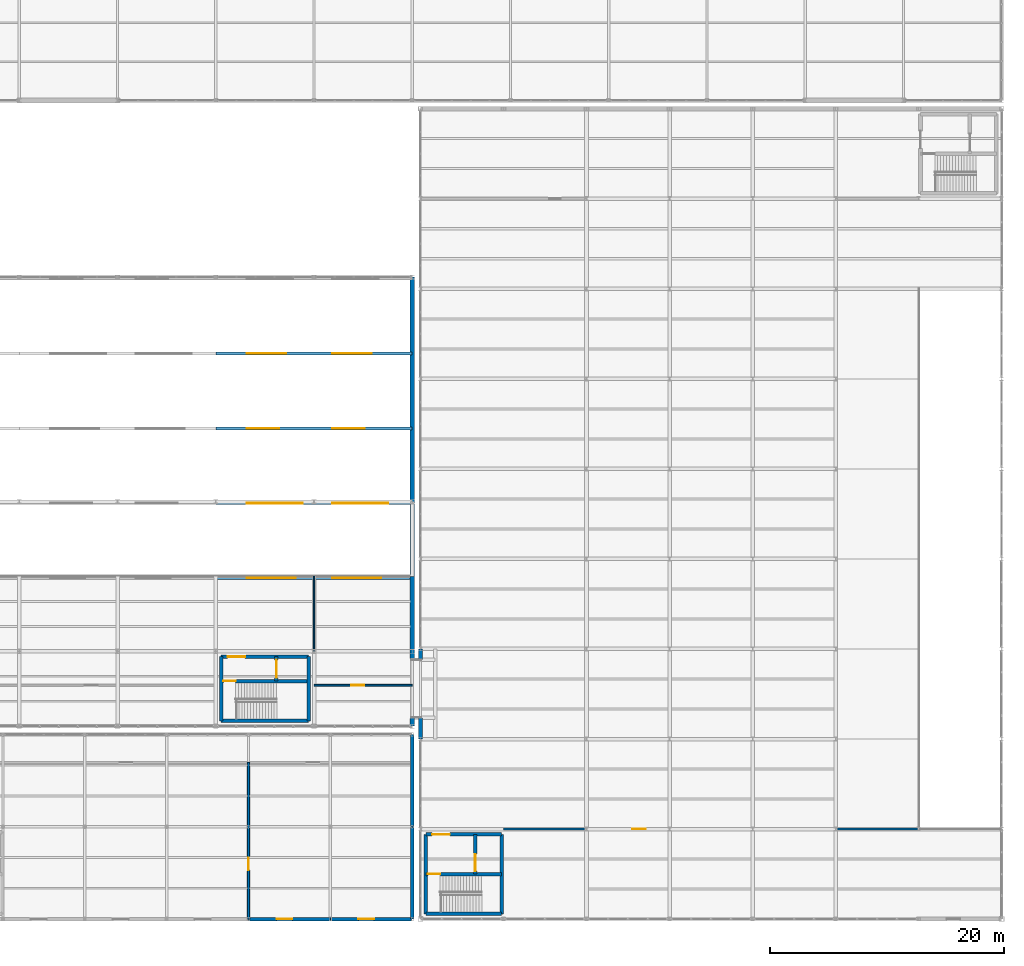
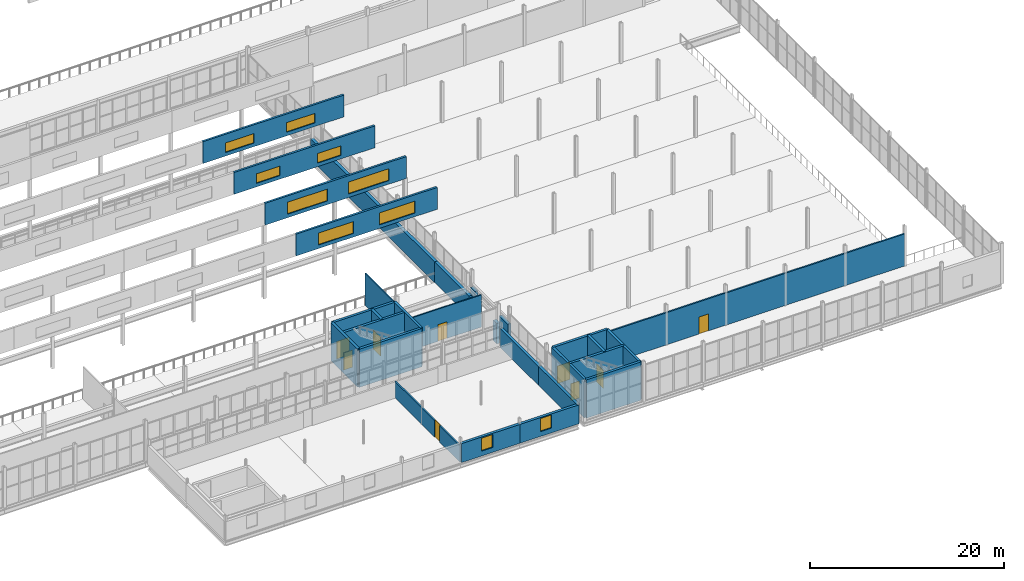
# One storey, part 205 of 218: 29 walls, 10 windows, 9 doors, 19 openings.
"""IFC4 building model written with IfcOpenShell, lengths in metres."""

import ifcopenshell
import ifcopenshell.guid

model = None  # the IFC model being written
_history = None  # IfcOwnerHistory: only IFC2X3 demands one
_inside = {}  # id of a spatial element -> (the spatial element, [elements in it])
_under = {}  # id of a project, library or spatial element -> (it, [spatial elements below it])
_declared = {}  # id of a project -> (the project, [libraries it declares])
_typed = {}  # id of a type object -> (the type object, [elements of that type])
_made_of = {}  # id of a material, layer set ... -> (it, [elements and type objects made of it])


def new_model(schema):
    """Start an empty IFC model of exactly this schema.

    Asked for "IFC4X3", IfcOpenShell would pick the latest addendum, in which some entities
    have other attributes; the version numbers below select the first issue.
    IFC2X3 requires an IfcOwnerHistory on every rooted entity: one is made here for all.
    """
    global model, _history
    if schema == "IFC4X3":
        model = ifcopenshell.file(schema_version=(4, 3, 0, 0))
    else:
        model = ifcopenshell.file(schema=schema)
    _inside.clear()
    _under.clear()
    _declared.clear()
    _typed.clear()
    _made_of.clear()
    _history = None
    if model.schema == "IFC2X3":
        org = make("IfcOrganization", Name="unknown")
        user = make(
            "IfcPersonAndOrganization",
            ThePerson=make("IfcPerson", FamilyName="unknown"),
            TheOrganization=org,
        )
        app = make(
            "IfcApplication",
            ApplicationDeveloper=org,
            Version="unknown",
            ApplicationFullName="unknown",
            ApplicationIdentifier="unknown",
        )
        _history = make(
            "IfcOwnerHistory",
            OwningUser=user,
            OwningApplication=app,
            ChangeAction="ADDED",
            CreationDate=0,
        )
    return model


def make(cls, **values):
    """One entity of the class cls with the attributes given. An attribute that is None is left unset."""
    return model.create_entity(
        cls, **{name: value for name, value in values.items() if value is not None}
    )


def rooted(cls, **values):
    """An entity with a GlobalId (a new one), such as an element, a storey or a relation."""
    return make(cls, GlobalId=ifcopenshell.guid.new(), OwnerHistory=_history, **values)


def si_unit(unit_type, name, prefix=None):
    """IfcSIUnit, for example si_unit("LENGTHUNIT", "METRE", prefix="MILLI")."""
    return make("IfcSIUnit", UnitType=unit_type, Prefix=prefix, Name=name)


def assignment(units):
    """IfcUnitAssignment: the units of a project."""
    return None if units is None else make("IfcUnitAssignment", Units=units)


def point(xyz):
    """IfcCartesianPoint."""
    return None if xyz is None else make("IfcCartesianPoint", Coordinates=xyz)


def direction(xyz):
    """IfcDirection."""
    return None if xyz is None else make("IfcDirection", DirectionRatios=xyz)


def frame(location, z_axis=None, x_axis=None):
    """IfcAxis2Placement3D, a coordinate frame: its origin and axes. An axis left out is left unset."""
    return make(
        "IfcAxis2Placement3D",
        Location=point(location),
        Axis=direction(z_axis),
        RefDirection=direction(x_axis),
    )


def frame_2d(location, x_axis=None):
    """IfcAxis2Placement2D, a coordinate frame in the plane: its origin and x axis."""
    return make(
        "IfcAxis2Placement2D", Location=point(location), RefDirection=direction(x_axis)
    )


def origin():
    """The frame at (0, 0, 0) with its axes left unset."""
    return frame((0.0, 0.0, 0.0))


def place(relative_to, where):
    """IfcLocalPlacement: puts the frame where relative to a parent placement (None: the world)."""
    return make(
        "IfcLocalPlacement", PlacementRelTo=relative_to, RelativePlacement=where
    )


def context(
    kind, dimensions, precision=None, world=None, true_north=None, identifier=None
):
    """IfcGeometricRepresentationContext, for example the 3D "Model" context."""
    return make(
        "IfcGeometricRepresentationContext",
        ContextIdentifier=identifier,
        ContextType=kind,
        CoordinateSpaceDimension=dimensions,
        Precision=precision,
        WorldCoordinateSystem=world,
        TrueNorth=true_north,
    )


def subcontext(parent, identifier, kind, view, scale=None):
    """IfcGeometricRepresentationSubContext, for example "Body" below "Model"."""
    return make(
        "IfcGeometricRepresentationSubContext",
        ContextIdentifier=identifier,
        ContextType=kind,
        ParentContext=parent,
        TargetScale=scale,
        TargetView=view,
    )


def project(units=None, contexts=None):
    """IfcProject with its units and contexts."""
    return rooted(
        "IfcProject",
        Name="project",
        RepresentationContexts=contexts,
        UnitsInContext=assignment(units),
    )


def spatial(cls, under=None, at=None, **own):
    """A site, building, storey or space (cls), placed at a placement, below another one or the project."""
    s = rooted(cls, ObjectPlacement=at, **own)
    if under is not None:
        _under.setdefault(under.id(), (under, []))[1].append(s)
    return s


def profile(cls, at=None, kind="AREA", **sizes):
    """A parametric profile (cls). Its sizes go by their IFC names, for example OverallWidth=200.0."""
    return make(cls, ProfileType=kind, Position=at, **sizes)


def rectangle(**sizes):
    """IfcRectangleProfileDef."""
    return profile("IfcRectangleProfileDef", **sizes)


def extrude(swept, where, along, depth):
    """IfcExtrudedAreaSolid: the profile swept, set in the frame where, extruded along a direction by depth."""
    return make(
        "IfcExtrudedAreaSolid",
        SweptArea=swept,
        Position=where,
        ExtrudedDirection=direction(along),
        Depth=depth,
    )


def shape(context_of_items, identifier, shape_type, items):
    """IfcShapeRepresentation: the items that make up one representation, for example the "Body"."""
    return make(
        "IfcShapeRepresentation",
        ContextOfItems=context_of_items,
        RepresentationIdentifier=identifier,
        RepresentationType=shape_type,
        Items=items,
    )


def material(Name=None, Category=None):
    """IfcMaterial."""
    return make("IfcMaterial", Name=Name, Category=Category)


def layer(
    of_material, thickness, ventilated=None, Name=None, Category=None, Priority=None
):
    """IfcMaterialLayer: one layer of a wall or slab, of a material (None: an air gap)."""
    return make(
        "IfcMaterialLayer",
        Material=of_material,
        LayerThickness=thickness,
        IsVentilated=ventilated,
        Name=Name,
        Category=Category,
        Priority=Priority,
    )


def layer_set(layers, Name=None):
    """IfcMaterialLayerSet."""
    return make("IfcMaterialLayerSet", MaterialLayers=layers, LayerSetName=Name)


def made_of(thing, what):
    """Note that an element or type object is made of a material, layer set ...; save() writes the relation."""
    if what is not None:
        _made_of.setdefault(what.id(), (what, []))[1].append(thing)
    return thing


def type_object(cls, material=None, **own):
    """A type object (cls), such as IfcWallType, which elements share."""
    return made_of(rooted(cls, **own), material)


def element(
    cls,
    number,
    at=None,
    inside=None,
    cuts=None,
    type_object=None,
    material=None,
    context=None,
    identifier="Body",
    shape_type=None,
    held_by="IfcProductDefinitionShape",
    body=None,
    shapes=None,
    **own,
):
    """One element of the class cls, such as IfcWall. Its Tag is "e" and its number.

    at: its placement. inside: the storey or other place that contains it. cuts: it is an
    opening in that element (IfcRelVoidsElement). A single representation is given by context,
    identifier, shape_type and body (its items); several are given by shapes. held_by: the class
    of the entity that holds the representations. save() writes the other relations.
    """
    e = rooted(cls, Tag="e%d" % number, ObjectPlacement=at, **own)
    if body is not None:
        shapes = [shape(context, identifier, shape_type, body)]
    if shapes is not None:
        e.Representation = make(held_by, Representations=shapes)
    if inside is not None:
        _inside.setdefault(inside.id(), (inside, []))[1].append(e)
    if cuts is not None:
        rooted(
            "IfcRelVoidsElement", RelatingBuildingElement=cuts, RelatedOpeningElement=e
        )
    if type_object is not None:
        _typed.setdefault(type_object.id(), (type_object, []))[1].append(e)
    return made_of(e, material)


def fill(opening, filler):
    """IfcRelFillsElement: the door or window that sits in an opening."""
    return rooted(
        "IfcRelFillsElement",
        RelatingOpeningElement=opening,
        RelatedBuildingElement=filler,
    )


def aggregate(whole, parts):
    """IfcRelAggregates: a whole, such as a stair, and the parts it consists of."""
    return rooted("IfcRelAggregates", RelatingObject=whole, RelatedObjects=parts)


def save(model, path):
    """Write the relations noted so far, then the file.

    IfcRelAggregates (storeys below a building ...), IfcRelContainedInSpatialStructure (elements
    in a storey), IfcRelDefinesByType, IfcRelAssociatesMaterial and IfcRelDeclares: one each for
    every whole, place, type object, material and project.
    """
    for whole, parts in _under.values():
        aggregate(whole, parts)
    for where, things in _inside.values():
        rooted(
            "IfcRelContainedInSpatialStructure",
            RelatedElements=things,
            RelatingStructure=where,
        )
    for kind, things in _typed.values():
        rooted("IfcRelDefinesByType", RelatedObjects=things, RelatingType=kind)
    for what, things in _made_of.values():
        rooted("IfcRelAssociatesMaterial", RelatedObjects=things, RelatingMaterial=what)
    for by, libraries in _declared.values():
        rooted("IfcRelDeclares", RelatingContext=by, RelatedDefinitions=libraries)
    model.write(path)


model = new_model("IFC4")

# Units and contexts
model_context = context("Model", 3, precision=1e-05, world=origin(), true_north=direction((0.0, 1.0)))
body_context = subcontext(model_context, "Body", "Model", "MODEL_VIEW")
ifc_project = project(units=[si_unit("LENGTHUNIT", "METRE"), si_unit("AREAUNIT", "SQUARE_METRE"), si_unit("VOLUMEUNIT", "CUBIC_METRE"), si_unit("PLANEANGLEUNIT", "RADIAN"), si_unit("MASSUNIT", "GRAM", prefix="KILO")], contexts=[model_context])

# Site, building, storey
site_placement = place(None, origin())
site = spatial("IfcSite", under=ifc_project, at=site_placement, CompositionType="ELEMENT")
building_placement = place(site_placement, origin())
building = spatial("IfcBuilding", under=site, at=building_placement, Name="Kazenagashi Tramway Depot", CompositionType="ELEMENT")
storey_placement = place(building_placement, frame((0.0, 0.0, 6.0)))
storey = spatial("IfcBuildingStorey", under=building, at=storey_placement, Name="L02", CompositionType="ELEMENT", Elevation=6.0)

# Walls
ifc_material_1 = material(Name="Clay Brick Masonry JIS R 1250 Class 1 (20 MPa)", Category="masonry")
ifc_layer_1 = layer(ifc_material_1, 0.36)
ifc_layer_set_1 = layer_set([ifc_layer_1], Name="Clay Brick Masonry JIS R 1250 Class 1 (20 MPa)")
wall_type_1 = type_object("IfcWallType", Name="W-BK2", PredefinedType="SOLIDWALL", material=ifc_layer_set_1)
wall_1_placement = place(storey_placement, frame((145.6, 16.5, 0.0), z_axis=(0.0, 0.0, 1.0), x_axis=(0.0, 1.0, 0.0)))
element("IfcWall", 1, at=wall_1_placement, inside=storey, type_object=wall_type_1, Name="Exterior Brick Wall W-BK2 EWALL-0074", PredefinedType="SOLIDWALL", context=body_context, shape_type="SweptSolid", body=[
    extrude(rectangle(XDim=0.7, YDim=0.36, at=frame_2d((0.35, 0.0))), origin(), (0.0, 0.0, 1.0), 2.58),
])
wall_2_placement = place(storey_placement, frame((145.6, 22.2, 0.0), z_axis=(0.0, 0.0, 1.0), x_axis=(0.0, 1.0, 0.0)))
element("IfcWall", 2, at=wall_2_placement, inside=storey, type_object=wall_type_1, Name="Exterior Brick Wall W-BK2 EWALL-0075", PredefinedType="SOLIDWALL", context=body_context, shape_type="SweptSolid", body=[
    extrude(rectangle(XDim=7.1, YDim=0.36, at=frame_2d((3.55, 0.0))), origin(), (0.0, 0.0, 1.0), 2.58),
])
wall_3_placement = place(storey_placement, frame((145.6, 29.3, -0.02), z_axis=(0.0, 0.0, 1.0), x_axis=(0.0, 1.0, 0.0)))
element("IfcWall", 3, at=wall_3_placement, inside=storey, type_object=wall_type_1, Name="Exterior Brick Wall W-BK2 EWALL-0076", PredefinedType="SOLIDWALL", context=body_context, shape_type="SweptSolid", body=[
    extrude(rectangle(XDim=25.6, YDim=0.36, at=frame_2d((12.8, 0.0))), origin(), (0.0, 0.0, 1.0), 2.6),
])
wall_4_placement = place(storey_placement, frame((146.3, 15.4, 0.0), z_axis=(0.0, 0.0, 1.0), x_axis=(0.0, 1.0, 0.0)))
element("IfcWall", 4, at=wall_4_placement, inside=storey, type_object=wall_type_1, Name="Exterior Brick Wall W-BK2 EWALL-0300", PredefinedType="SOLIDWALL", context=body_context, shape_type="SweptSolid", body=[
    extrude(rectangle(XDim=1.8, YDim=0.36, at=frame_2d((0.9, 0.0))), origin(), (0.0, 0.0, 1.0), 2.9),
])
wall_5_placement = place(storey_placement, frame((146.3, 22.2, 0.0), z_axis=(0.0, 0.0, 1.0), x_axis=(0.0, 1.0, 0.0)))
element("IfcWall", 5, at=wall_5_placement, inside=storey, type_object=wall_type_1, Name="Exterior Brick Wall W-BK2 EWALL-0301", PredefinedType="SOLIDWALL", context=body_context, shape_type="SweptSolid", body=[
    extrude(rectangle(XDim=0.9, YDim=0.36, at=frame_2d((0.45, 0.0))), origin(), (0.0, 0.0, 1.0), 2.9),
])

# Wall, opening, window
ifc_layer_2 = layer(ifc_material_1, 0.32)
ifc_layer_set_2 = layer_set([ifc_layer_2], Name="Clay Brick Masonry JIS R 1250 Class 1 (20 MPa)")
wall_type_2 = type_object("IfcWallType", Name="W-BK3", PredefinedType="SOLIDWALL", material=ifc_layer_set_2)
wall_6_placement = place(storey_placement, frame((131.6, 0.0, 0.0), z_axis=(0.0, 0.0, 1.0), x_axis=(1.0, 0.0, 0.0)))
wall_6 = element("IfcWall", 6, at=wall_6_placement, inside=storey, type_object=wall_type_2, Name="Exterior Brick Wall W-BK3 EWALL-0286", PredefinedType="SOLIDWALL", context=body_context, shape_type="SweptSolid", body=[
    extrude(rectangle(XDim=7.0, YDim=0.32, at=frame_2d((3.5, 0.0))), origin(), (0.0, 0.0, 1.0), 2.38),
])
opening_1_placement = place(wall_6_placement, frame((2.4, 0.0, 0.6)))
opening_1 = element("IfcOpeningElement", 7, at=opening_1_placement, cuts=wall_6, Name="Opening WN-17", PredefinedType="OPENING", context=body_context, shape_type="SweptSolid", body=[
    extrude(rectangle(XDim=1.35, YDim=1.65, at=frame_2d((0.675, 0.825))), frame((0.0, 0.17, 0.0), z_axis=(0.0, -1.0, 0.0), x_axis=(1.0, 0.0, 0.0)), (0.0, 0.0, 1.0), 0.34),
])
ifc_material_2 = material(Name="Anodised Aluminium and Tempered Low-E Glass", Category="aluminium")
window_type_1 = type_object("IfcWindowType", Name="WN-17", PartitioningType="SINGLE_PANEL", PredefinedType="WINDOW", material=ifc_material_2)
window_1_placement = place(opening_1_placement, origin())
window_1 = element("IfcWindow", 8, at=window_1_placement, inside=storey, type_object=window_type_1, Name="Window WN-17 WIN-0249", OverallHeight=1.65, OverallWidth=1.35, PartitioningType="SINGLE_PANEL", PredefinedType="WINDOW", context=body_context, shape_type="SweptSolid", body=[
    extrude(rectangle(XDim=1.35, YDim=1.65, at=frame_2d((0.675, 0.825))), frame((0.0, 0.03, 0.0), z_axis=(0.0, -1.0, 0.0), x_axis=(1.0, 0.0, 0.0)), (0.0, 0.0, 1.0), 0.06),
])
fill(opening_1, window_1)

wall_7_placement = place(storey_placement, frame((138.6, 0.0, 0.0), z_axis=(0.0, 0.0, 1.0), x_axis=(1.0, 0.0, 0.0)))
wall_7 = element("IfcWall", 9, at=wall_7_placement, inside=storey, type_object=wall_type_2, Name="Exterior Brick Wall W-BK3 EWALL-0288", PredefinedType="SOLIDWALL", context=body_context, shape_type="SweptSolid", body=[
    extrude(rectangle(XDim=7.0, YDim=0.32, at=frame_2d((3.5, 0.0))), origin(), (0.0, 0.0, 1.0), 2.38),
])
opening_2_placement = place(wall_7_placement, frame((2.4, 0.0, 0.6)))
opening_2 = element("IfcOpeningElement", 10, at=opening_2_placement, cuts=wall_7, Name="Opening WN-17", PredefinedType="OPENING", context=body_context, shape_type="SweptSolid", body=[
    extrude(rectangle(XDim=1.35, YDim=1.65, at=frame_2d((0.675, 0.825))), frame((0.0, 0.17, 0.0), z_axis=(0.0, -1.0, 0.0), x_axis=(1.0, 0.0, 0.0)), (0.0, 0.0, 1.0), 0.34),
])
window_2_placement = place(opening_2_placement, origin())
window_2 = element("IfcWindow", 11, at=window_2_placement, inside=storey, type_object=window_type_1, Name="Window WN-17 WIN-0250", OverallHeight=1.65, OverallWidth=1.35, PartitioningType="SINGLE_PANEL", PredefinedType="WINDOW", context=body_context, shape_type="SweptSolid", body=[
    extrude(rectangle(XDim=1.35, YDim=1.65, at=frame_2d((0.675, 0.825))), frame((0.0, 0.03, 0.0), z_axis=(0.0, -1.0, 0.0), x_axis=(1.0, 0.0, 0.0)), (0.0, 0.0, 1.0), 0.06),
])
fill(opening_2, window_2)

# Walls
for number, where, z_axis, x_axis, name in (
    (12, (145.6, 0.0, 0.0), (0.0, 0.0, 1.0), (0.0, 1.0, 0.0), "Exterior Brick Wall W-BK3 EWALL-0294"),
    (13, (145.6, 7.9, 0.0), (0.0, 0.0, 1.0), (0.0, 1.0, 0.0), "Exterior Brick Wall W-BK3 EWALL-0296"),
):
    element("IfcWall", number, at=place(storey_placement, frame(where, z_axis=z_axis, x_axis=x_axis)), inside=storey, type_object=wall_type_2, Name=name, PredefinedType="SOLIDWALL", context=body_context, shape_type="SweptSolid", body=[
        extrude(rectangle(XDim=7.9, YDim=0.32, at=frame_2d((3.95, 0.0))), origin(), (0.0, 0.0, 1.0), 2.38),
    ])

# Wall, openings, windows
ifc_material_3 = material(Name="Galvanised Steel Sheet Insulated Monitor Wall", Category="steel")
ifc_layer_3 = layer(ifc_material_3, 0.24)
ifc_layer_set_3 = layer_set([ifc_layer_3], Name="Galvanised Steel Sheet Insulated Monitor Wall")
wall_type_3 = type_object("IfcWallType", Name="W-MN1", PredefinedType="SOLIDWALL", material=ifc_layer_set_3)
wall_8_placement = place(storey_placement, frame((128.8, 29.16, 9.3), z_axis=(0.0, 0.0, 1.0), x_axis=(1.0, 0.0, 0.0)))
wall_8 = element("IfcWall", 14, at=wall_8_placement, inside=storey, type_object=wall_type_3, Name="Exterior Brick Wall W-MN1 EWALL-0130", PredefinedType="SOLIDWALL", context=body_context, shape_type="SweptSolid", body=[
    extrude(rectangle(XDim=16.8, YDim=0.24, at=frame_2d((8.4, 0.0))), origin(), (0.0, 0.0, 1.0), 2.75),
])
opening_3_placement = place(wall_8_placement, frame((2.64, 0.0, 0.45)))
opening_3 = element("IfcOpeningElement", 15, at=opening_3_placement, cuts=wall_8, Name="Opening SK-03", PredefinedType="OPENING", context=body_context, shape_type="SweptSolid", body=[
    extrude(rectangle(XDim=4.2, YDim=1.5, at=frame_2d((2.1, 0.75))), frame((0.0, 0.13, 0.0), z_axis=(0.0, -1.0, 0.0), x_axis=(1.0, 0.0, 0.0)), (0.0, 0.0, 1.0), 0.26),
])
opening_4_placement = place(wall_8_placement, frame((9.94, 0.0, 0.45)))
opening_4 = element("IfcOpeningElement", 16, at=opening_4_placement, cuts=wall_8, Name="Opening SK-03", PredefinedType="OPENING", context=body_context, shape_type="SweptSolid", body=[
    extrude(rectangle(XDim=4.2, YDim=1.5, at=frame_2d((2.1, 0.75))), frame((0.0, 0.13, 0.0), z_axis=(0.0, -1.0, 0.0), x_axis=(1.0, 0.0, 0.0)), (0.0, 0.0, 1.0), 0.26),
])
ifc_material_4 = material(Name="Wired Fire-Rated Glass and Aluminium Frame", Category="aluminium")
window_type_2 = type_object("IfcWindowType", Name="SK-03", PartitioningType="SINGLE_PANEL", PredefinedType="SKYLIGHT", material=ifc_material_4)
window_3_placement = place(opening_3_placement, origin())
window_3 = element("IfcWindow", 17, at=window_3_placement, inside=storey, type_object=window_type_2, Name="Window SK-03 WIN-0104", OverallHeight=1.5, OverallWidth=4.2, PartitioningType="SINGLE_PANEL", PredefinedType="SKYLIGHT", context=body_context, shape_type="SweptSolid", body=[
    extrude(rectangle(XDim=4.2, YDim=1.5, at=frame_2d((2.1, 0.75))), frame((0.0, 0.03, 0.0), z_axis=(0.0, -1.0, 0.0), x_axis=(1.0, 0.0, 0.0)), (0.0, 0.0, 1.0), 0.06),
])
fill(opening_3, window_3)
window_4_placement = place(opening_4_placement, origin())
window_4 = element("IfcWindow", 18, at=window_4_placement, inside=storey, type_object=window_type_2, Name="Window SK-03 WIN-0105", OverallHeight=1.5, OverallWidth=4.2, PartitioningType="SINGLE_PANEL", PredefinedType="SKYLIGHT", context=body_context, shape_type="SweptSolid", body=[
    extrude(rectangle(XDim=4.2, YDim=1.5, at=frame_2d((2.1, 0.75))), frame((0.0, 0.03, 0.0), z_axis=(0.0, -1.0, 0.0), x_axis=(1.0, 0.0, 0.0)), (0.0, 0.0, 1.0), 0.06),
])
fill(opening_4, window_4)

wall_9_placement = place(storey_placement, frame((128.8, 35.56, 9.3), z_axis=(0.0, 0.0, 1.0), x_axis=(1.0, 0.0, 0.0)))
wall_9 = element("IfcWall", 19, at=wall_9_placement, inside=storey, type_object=wall_type_3, Name="Exterior Brick Wall W-MN1 EWALL-0136", PredefinedType="SOLIDWALL", context=body_context, shape_type="SweptSolid", body=[
    extrude(rectangle(XDim=16.8, YDim=0.24, at=frame_2d((8.4, 0.0))), origin(), (0.0, 0.0, 1.0), 2.75),
])
opening_5_placement = place(wall_9_placement, frame((2.64, 0.0, 0.45)))
opening_5 = element("IfcOpeningElement", 20, at=opening_5_placement, cuts=wall_9, Name="Opening SK-04", PredefinedType="OPENING", context=body_context, shape_type="SweptSolid", body=[
    extrude(rectangle(XDim=4.8, YDim=1.5, at=frame_2d((2.4, 0.75))), frame((0.0, 0.13, 0.0), z_axis=(0.0, -1.0, 0.0), x_axis=(1.0, 0.0, 0.0)), (0.0, 0.0, 1.0), 0.26),
])
opening_6_placement = place(wall_9_placement, frame((9.94, 0.0, 0.45)))
opening_6 = element("IfcOpeningElement", 21, at=opening_6_placement, cuts=wall_9, Name="Opening SK-04", PredefinedType="OPENING", context=body_context, shape_type="SweptSolid", body=[
    extrude(rectangle(XDim=4.8, YDim=1.5, at=frame_2d((2.4, 0.75))), frame((0.0, 0.13, 0.0), z_axis=(0.0, -1.0, 0.0), x_axis=(1.0, 0.0, 0.0)), (0.0, 0.0, 1.0), 0.26),
])
window_type_3 = type_object("IfcWindowType", Name="SK-04", PartitioningType="SINGLE_PANEL", PredefinedType="SKYLIGHT", material=ifc_material_4)
window_5_placement = place(opening_5_placement, origin())
window_5 = element("IfcWindow", 22, at=window_5_placement, inside=storey, type_object=window_type_3, Name="Window SK-04 WIN-0116", OverallHeight=1.5, OverallWidth=4.8, PartitioningType="SINGLE_PANEL", PredefinedType="SKYLIGHT", context=body_context, shape_type="SweptSolid", body=[
    extrude(rectangle(XDim=4.8, YDim=1.5, at=frame_2d((2.4, 0.75))), frame((0.0, 0.03, 0.0), z_axis=(0.0, -1.0, 0.0), x_axis=(1.0, 0.0, 0.0)), (0.0, 0.0, 1.0), 0.06),
])
fill(opening_5, window_5)
window_6_placement = place(opening_6_placement, origin())
window_6 = element("IfcWindow", 23, at=window_6_placement, inside=storey, type_object=window_type_3, Name="Window SK-04 WIN-0117", OverallHeight=1.5, OverallWidth=4.8, PartitioningType="SINGLE_PANEL", PredefinedType="SKYLIGHT", context=body_context, shape_type="SweptSolid", body=[
    extrude(rectangle(XDim=4.8, YDim=1.5, at=frame_2d((2.4, 0.75))), frame((0.0, 0.03, 0.0), z_axis=(0.0, -1.0, 0.0), x_axis=(1.0, 0.0, 0.0)), (0.0, 0.0, 1.0), 0.06),
])
fill(opening_6, window_6)

wall_10_placement = place(storey_placement, frame((128.8, 41.96, 9.3), z_axis=(0.0, 0.0, 1.0), x_axis=(1.0, 0.0, 0.0)))
wall_10 = element("IfcWall", 24, at=wall_10_placement, inside=storey, type_object=wall_type_3, Name="Exterior Brick Wall W-MN1 EWALL-0142", PredefinedType="SOLIDWALL", context=body_context, shape_type="SweptSolid", body=[
    extrude(rectangle(XDim=16.8, YDim=0.24, at=frame_2d((8.4, 0.0))), origin(), (0.0, 0.0, 1.0), 2.75),
])
opening_7_placement = place(wall_10_placement, frame((2.64, 0.0, 0.45)))
opening_7 = element("IfcOpeningElement", 25, at=opening_7_placement, cuts=wall_10, Name="Opening SK-05", PredefinedType="OPENING", context=body_context, shape_type="SweptSolid", body=[
    extrude(rectangle(XDim=2.8, YDim=1.2, at=frame_2d((1.4, 0.6))), frame((0.0, 0.13, 0.0), z_axis=(0.0, -1.0, 0.0), x_axis=(1.0, 0.0, 0.0)), (0.0, 0.0, 1.0), 0.26),
])
opening_8_placement = place(wall_10_placement, frame((9.94, 0.0, 0.45)))
opening_8 = element("IfcOpeningElement", 26, at=opening_8_placement, cuts=wall_10, Name="Opening SK-05", PredefinedType="OPENING", context=body_context, shape_type="SweptSolid", body=[
    extrude(rectangle(XDim=2.8, YDim=1.2, at=frame_2d((1.4, 0.6))), frame((0.0, 0.13, 0.0), z_axis=(0.0, -1.0, 0.0), x_axis=(1.0, 0.0, 0.0)), (0.0, 0.0, 1.0), 0.26),
])
window_type_4 = type_object("IfcWindowType", Name="SK-05", PartitioningType="SINGLE_PANEL", PredefinedType="SKYLIGHT", material=ifc_material_4)
window_7_placement = place(opening_7_placement, origin())
window_7 = element("IfcWindow", 27, at=window_7_placement, inside=storey, type_object=window_type_4, Name="Window SK-05 WIN-0128", OverallHeight=1.2, OverallWidth=2.8, PartitioningType="SINGLE_PANEL", PredefinedType="SKYLIGHT", context=body_context, shape_type="SweptSolid", body=[
    extrude(rectangle(XDim=2.8, YDim=1.2, at=frame_2d((1.4, 0.6))), frame((0.0, 0.03, 0.0), z_axis=(0.0, -1.0, 0.0), x_axis=(1.0, 0.0, 0.0)), (0.0, 0.0, 1.0), 0.06),
])
fill(opening_7, window_7)
window_8_placement = place(opening_8_placement, origin())
window_8 = element("IfcWindow", 28, at=window_8_placement, inside=storey, type_object=window_type_4, Name="Window SK-05 WIN-0129", OverallHeight=1.2, OverallWidth=2.8, PartitioningType="SINGLE_PANEL", PredefinedType="SKYLIGHT", context=body_context, shape_type="SweptSolid", body=[
    extrude(rectangle(XDim=2.8, YDim=1.2, at=frame_2d((1.4, 0.6))), frame((0.0, 0.03, 0.0), z_axis=(0.0, -1.0, 0.0), x_axis=(1.0, 0.0, 0.0)), (0.0, 0.0, 1.0), 0.06),
])
fill(opening_8, window_8)

wall_11_placement = place(storey_placement, frame((128.8, 48.36, 9.3), z_axis=(0.0, 0.0, 1.0), x_axis=(1.0, 0.0, 0.0)))
wall_11 = element("IfcWall", 29, at=wall_11_placement, inside=storey, type_object=wall_type_3, Name="Exterior Brick Wall W-MN1 EWALL-0148", PredefinedType="SOLIDWALL", context=body_context, shape_type="SweptSolid", body=[
    extrude(rectangle(XDim=16.8, YDim=0.24, at=frame_2d((8.4, 0.0))), origin(), (0.0, 0.0, 1.0), 2.75),
])
opening_9_placement = place(wall_11_placement, frame((2.64, 0.0, 0.45)))
opening_9 = element("IfcOpeningElement", 30, at=opening_9_placement, cuts=wall_11, Name="Opening SK-06", PredefinedType="OPENING", context=body_context, shape_type="SweptSolid", body=[
    extrude(rectangle(XDim=3.4, YDim=1.2, at=frame_2d((1.7, 0.6))), frame((0.0, 0.13, 0.0), z_axis=(0.0, -1.0, 0.0), x_axis=(1.0, 0.0, 0.0)), (0.0, 0.0, 1.0), 0.26),
])
opening_10_placement = place(wall_11_placement, frame((9.94, 0.0, 0.45)))
opening_10 = element("IfcOpeningElement", 31, at=opening_10_placement, cuts=wall_11, Name="Opening SK-06", PredefinedType="OPENING", context=body_context, shape_type="SweptSolid", body=[
    extrude(rectangle(XDim=3.4, YDim=1.2, at=frame_2d((1.7, 0.6))), frame((0.0, 0.13, 0.0), z_axis=(0.0, -1.0, 0.0), x_axis=(1.0, 0.0, 0.0)), (0.0, 0.0, 1.0), 0.26),
])
window_type_5 = type_object("IfcWindowType", Name="SK-06", PartitioningType="SINGLE_PANEL", PredefinedType="SKYLIGHT", material=ifc_material_4)
window_9_placement = place(opening_9_placement, origin())
window_9 = element("IfcWindow", 32, at=window_9_placement, inside=storey, type_object=window_type_5, Name="Window SK-06 WIN-0140", OverallHeight=1.2, OverallWidth=3.4, PartitioningType="SINGLE_PANEL", PredefinedType="SKYLIGHT", context=body_context, shape_type="SweptSolid", body=[
    extrude(rectangle(XDim=3.4, YDim=1.2, at=frame_2d((1.7, 0.6))), frame((0.0, 0.03, 0.0), z_axis=(0.0, -1.0, 0.0), x_axis=(1.0, 0.0, 0.0)), (0.0, 0.0, 1.0), 0.06),
])
fill(opening_9, window_9)
window_10_placement = place(opening_10_placement, origin())
window_10 = element("IfcWindow", 33, at=window_10_placement, inside=storey, type_object=window_type_5, Name="Window SK-06 WIN-0141", OverallHeight=1.2, OverallWidth=3.4, PartitioningType="SINGLE_PANEL", PredefinedType="SKYLIGHT", context=body_context, shape_type="SweptSolid", body=[
    extrude(rectangle(XDim=3.4, YDim=1.2, at=frame_2d((1.7, 0.6))), frame((0.0, 0.03, 0.0), z_axis=(0.0, -1.0, 0.0), x_axis=(1.0, 0.0, 0.0)), (0.0, 0.0, 1.0), 0.06),
])
fill(opening_10, window_10)

# Wall, opening, door
ifc_material_5 = material(Name="Gypsum Plasterboard Partition", Category="gypsum")
ifc_layer_4 = layer(ifc_material_5, 0.15)
ifc_layer_set_4 = layer_set([ifc_layer_4], Name="Gypsum Plasterboard Partition")
wall_type_4 = type_object("IfcWallType", Name="W-PT1", PredefinedType="PARTITIONING", material=ifc_layer_set_4)
wall_12_placement = place(storey_placement, frame((137.2, 20.0, 0.0), z_axis=(0.0, 0.0, 1.0), x_axis=(1.0, 0.0, 0.0)))
wall_12 = element("IfcWall", 34, at=wall_12_placement, inside=storey, type_object=wall_type_4, Name="Interior Partition W-PT1 IWALL-0266", PredefinedType="PARTITIONING", context=body_context, shape_type="SweptSolid", body=[
    extrude(rectangle(XDim=8.4, YDim=0.15, at=frame_2d((4.2, 0.0))), origin(), (0.0, 0.0, 1.0), 4.05),
])
opening_11_placement = place(wall_12_placement, frame((3.2, 0.0, 0.0)))
opening_11 = element("IfcOpeningElement", 35, at=opening_11_placement, cuts=wall_12, Name="Opening D-171", PredefinedType="OPENING", context=body_context, shape_type="SweptSolid", body=[
    extrude(rectangle(XDim=1.1, YDim=2.1, at=frame_2d((0.55, 1.05))), frame((0.0, 0.085, 0.0), z_axis=(0.0, -1.0, 0.0), x_axis=(1.0, 0.0, 0.0)), (0.0, 0.0, 1.0), 0.17),
])
ifc_material_6 = material(Name="Powder-Coated Steel Door", Category="steel")
door_type_1 = type_object("IfcDoorType", Name="DT-12", OperationType="NOTDEFINED", PredefinedType="DOOR", material=ifc_material_6)
door_1_placement = place(opening_11_placement, origin())
door_1 = element("IfcDoor", 36, at=door_1_placement, inside=storey, type_object=door_type_1, Name="Interior Door D-171", OperationType="SINGLE_SWING_RIGHT", OverallHeight=2.1, OverallWidth=1.1, PredefinedType="DOOR", context=body_context, shape_type="SweptSolid", body=[
    extrude(rectangle(XDim=1.1, YDim=2.1, at=frame_2d((0.55, 1.05))), frame((0.0, 0.025, 0.0), z_axis=(0.0, -1.0, 0.0), x_axis=(1.0, 0.0, 0.0)), (0.0, 0.0, 1.0), 0.05),
])
fill(opening_11, door_1)

# Wall
ifc_layer_5 = layer(ifc_material_5, 0.125)
ifc_layer_set_5 = layer_set([ifc_layer_5], Name="Gypsum Plasterboard Partition")
wall_type_5 = type_object("IfcWallType", Name="W-PT2", PredefinedType="PARTITIONING", material=ifc_layer_set_5)
wall_13_placement = place(storey_placement, frame((137.2, 22.9, 0.0), z_axis=(0.0, 0.0, 1.0), x_axis=(0.0, 1.0, 0.0)))
element("IfcWall", 37, at=wall_13_placement, inside=storey, type_object=wall_type_5, Name="Interior Partition W-PT2 IWALL-0265", PredefinedType="PARTITIONING", context=body_context, shape_type="SweptSolid", body=[
    extrude(rectangle(XDim=6.4, YDim=0.125, at=frame_2d((3.2, 0.0))), origin(), (0.0, 0.0, 1.0), 4.05),
])

# Wall, opening, door
ifc_layer_6 = layer(ifc_material_5, 0.18)
ifc_layer_set_6 = layer_set([ifc_layer_6], Name="Gypsum Plasterboard Partition")
wall_type_6 = type_object("IfcWallType", Name="W-PT4", PredefinedType="PARTITIONING", material=ifc_layer_set_6)
wall_14_placement = place(storey_placement, frame((153.4, 7.7, 0.0), z_axis=(0.0, 0.0, 1.0), x_axis=(1.0, 0.0, 0.0)))
wall_14 = element("IfcWall", 38, at=wall_14_placement, inside=storey, type_object=wall_type_6, Name="Interior Partition W-PT4 IWALL-0268", PredefinedType="PARTITIONING", context=body_context, shape_type="SweptSolid", body=[
    extrude(rectangle(XDim=35.5, YDim=0.18, at=frame_2d((17.75, 0.0))), origin(), (0.0, 0.0, 1.0), 4.05),
])
opening_12_placement = place(wall_14_placement, frame((11.0, 0.0, 0.0)))
opening_12 = element("IfcOpeningElement", 39, at=opening_12_placement, cuts=wall_14, Name="Opening D-173", PredefinedType="OPENING", context=body_context, shape_type="SweptSolid", body=[
    extrude(rectangle(XDim=1.15, YDim=2.15, at=frame_2d((0.575, 1.075))), frame((0.0, 0.1, 0.0), z_axis=(0.0, -1.0, 0.0), x_axis=(1.0, 0.0, 0.0)), (0.0, 0.0, 1.0), 0.2),
])
door_type_2 = type_object("IfcDoorType", Name="DT-13", OperationType="NOTDEFINED", PredefinedType="DOOR", material=ifc_material_6)
door_2_placement = place(opening_12_placement, origin())
door_2 = element("IfcDoor", 40, at=door_2_placement, inside=storey, type_object=door_type_2, Name="Interior Door D-173", OperationType="SINGLE_SWING_RIGHT", OverallHeight=2.15, OverallWidth=1.15, PredefinedType="DOOR", context=body_context, shape_type="SweptSolid", body=[
    extrude(rectangle(XDim=1.15, YDim=2.15, at=frame_2d((0.575, 1.075))), frame((0.0, 0.025, 0.0), z_axis=(0.0, -1.0, 0.0), x_axis=(1.0, 0.0, 0.0)), (0.0, 0.0, 1.0), 0.05),
])
fill(opening_12, door_2)

wall_15_placement = place(storey_placement, frame((131.6, 0.0, 0.0), z_axis=(0.0, 0.0, 1.0), x_axis=(0.0, 1.0, 0.0)))
wall_15 = element("IfcWall", 41, at=wall_15_placement, inside=storey, type_object=wall_type_6, Name="Interior Partition W-PT4 IWALL-0274", PredefinedType="PARTITIONING", context=body_context, shape_type="SweptSolid", body=[
    extrude(rectangle(XDim=13.4, YDim=0.18, at=frame_2d((6.7, 0.0))), origin(), (0.0, 0.0, 1.0), 2.05),
])
opening_13_placement = place(wall_15_placement, frame((4.2, 0.0, 0.0)))
opening_13 = element("IfcOpeningElement", 42, at=opening_13_placement, cuts=wall_15, Name="Opening D-182", PredefinedType="OPENING", context=body_context, shape_type="SweptSolid", body=[
    extrude(rectangle(XDim=1.05, YDim=2.15, at=frame_2d((0.525, 1.075))), frame((0.0, 0.1, 0.0), z_axis=(0.0, -1.0, 0.0), x_axis=(1.0, 0.0, 0.0)), (0.0, 0.0, 1.0), 0.2),
])
ifc_material_7 = material(Name="Galvanised Fire-Rated Steel Door", Category="steel")
door_type_3 = type_object("IfcDoorType", Name="DT-07", OperationType="NOTDEFINED", PredefinedType="DOOR", material=ifc_material_7)
door_3_placement = place(opening_13_placement, origin())
door_3 = element("IfcDoor", 43, at=door_3_placement, inside=storey, type_object=door_type_3, Name="Interior Door D-182", OperationType="SINGLE_SWING_LEFT", OverallHeight=2.15, OverallWidth=1.05, PredefinedType="DOOR", context=body_context, shape_type="SweptSolid", body=[
    extrude(rectangle(XDim=1.05, YDim=2.15, at=frame_2d((0.525, 1.075))), frame((0.0, 0.025, 0.0), z_axis=(0.0, -1.0, 0.0), x_axis=(1.0, 0.0, 0.0)), (0.0, 0.0, 1.0), 0.05),
])
fill(opening_13, door_3)

# Wall
ifc_material_8 = material(Name="Concrete Fc36", Category="concrete")
ifc_layer_7 = layer(ifc_material_8, 0.3)
ifc_layer_set_7 = layer_set([ifc_layer_7], Name="Concrete Fc36")
wall_type_7 = type_object("IfcWallType", Name="W-RC1", PredefinedType="SHEAR", material=ifc_layer_set_7)
wall_16_placement = place(storey_placement, frame((129.26, 16.96, 0.0), z_axis=(0.0, 0.0, 1.0), x_axis=(1.0, 0.0, 0.0)))
element("IfcWall", 44, at=wall_16_placement, inside=storey, type_object=wall_type_7, Name="Core Shear Wall W-RC1 IWALL-0159", PredefinedType="SHEAR", context=body_context, shape_type="SweptSolid", body=[
    extrude(rectangle(XDim=7.48, YDim=0.3, at=frame_2d((3.74, 0.0))), origin(), (0.0, 0.0, 1.0), 4.82),
])

# Wall, opening, door
wall_17_placement = place(storey_placement, frame((129.26, 22.44, 0.0), z_axis=(0.0, 0.0, 1.0), x_axis=(1.0, 0.0, 0.0)))
wall_17 = element("IfcWall", 45, at=wall_17_placement, inside=storey, type_object=wall_type_7, Name="Core Shear Wall W-RC1 IWALL-0160", PredefinedType="SHEAR", context=body_context, shape_type="SweptSolid", body=[
    extrude(rectangle(XDim=7.48, YDim=0.3, at=frame_2d((3.74, 0.0))), origin(), (0.0, 0.0, 1.0), 4.82),
])
opening_14_placement = place(wall_17_placement, frame((0.55, 0.0, 0.0)))
opening_14 = element("IfcOpeningElement", 46, at=opening_14_placement, cuts=wall_17, Name="Opening D-103", PredefinedType="OPENING", context=body_context, shape_type="SweptSolid", body=[
    extrude(rectangle(XDim=1.5, YDim=2.2, at=frame_2d((0.75, 1.1))), frame((0.0, 0.16, 0.0), z_axis=(0.0, -1.0, 0.0), x_axis=(1.0, 0.0, 0.0)), (0.0, 0.0, 1.0), 0.32),
])
door_type_4 = type_object("IfcDoorType", Name="DT-05", OperationType="NOTDEFINED", PredefinedType="DOOR", material=ifc_material_7)
door_4_placement = place(opening_14_placement, origin())
door_4 = element("IfcDoor", 47, at=door_4_placement, inside=storey, type_object=door_type_4, Name="Interior Door D-103", OperationType="DOUBLE_DOOR_SINGLE_SWING", OverallHeight=2.2, OverallWidth=1.5, PredefinedType="DOOR", context=body_context, shape_type="SweptSolid", body=[
    extrude(rectangle(XDim=1.5, YDim=2.2, at=frame_2d((0.75, 1.1))), frame((0.0, 0.025, 0.0), z_axis=(0.0, -1.0, 0.0), x_axis=(1.0, 0.0, 0.0)), (0.0, 0.0, 1.0), 0.05),
])
fill(opening_14, door_4)

# Walls
for number, where, z_axis, x_axis, name in (
    (48, (129.26, 16.96, 0.0), (0.0, 0.0, 1.0), (0.0, 1.0, 0.0), "Core Shear Wall W-RC1 IWALL-0161"),
    (49, (136.74, 16.96, 0.0), (0.0, 0.0, 1.0), (0.0, 1.0, 0.0), "Core Shear Wall W-RC1 IWALL-0162"),
):
    element("IfcWall", number, at=place(storey_placement, frame(where, z_axis=z_axis, x_axis=x_axis)), inside=storey, type_object=wall_type_7, Name=name, PredefinedType="SHEAR", context=body_context, shape_type="SweptSolid", body=[
        extrude(rectangle(XDim=5.48, YDim=0.3, at=frame_2d((2.74, 0.0))), origin(), (0.0, 0.0, 1.0), 4.82),
    ])

# Wall, opening, door
wall_18_placement = place(storey_placement, frame((129.26, 20.35, 0.0), z_axis=(0.0, 0.0, 1.0), x_axis=(1.0, 0.0, 0.0)))
wall_18 = element("IfcWall", 50, at=wall_18_placement, inside=storey, type_object=wall_type_7, Name="Core Shear Wall W-RC1 IWALL-0163", PredefinedType="SHEAR", context=body_context, shape_type="SweptSolid", body=[
    extrude(rectangle(XDim=7.48, YDim=0.3, at=frame_2d((3.74, 0.0))), origin(), (0.0, 0.0, 1.0), 4.82),
])
opening_15_placement = place(wall_18_placement, frame((0.185, 0.0, 0.0)))
opening_15 = element("IfcOpeningElement", 51, at=opening_15_placement, cuts=wall_18, Name="Opening D-102", PredefinedType="OPENING", context=body_context, shape_type="SweptSolid", body=[
    extrude(rectangle(XDim=1.05, YDim=2.15, at=frame_2d((0.525, 1.075))), frame((0.0, 0.16, 0.0), z_axis=(0.0, -1.0, 0.0), x_axis=(1.0, 0.0, 0.0)), (0.0, 0.0, 1.0), 0.32),
])
door_5_placement = place(opening_15_placement, origin())
door_5 = element("IfcDoor", 52, at=door_5_placement, inside=storey, type_object=door_type_3, Name="Interior Door D-102", OperationType="SINGLE_SWING_LEFT", OverallHeight=2.15, OverallWidth=1.05, PredefinedType="DOOR", context=body_context, shape_type="SweptSolid", body=[
    extrude(rectangle(XDim=1.05, YDim=2.15, at=frame_2d((0.525, 1.075))), frame((0.0, 0.025, 0.0), z_axis=(0.0, -1.0, 0.0), x_axis=(1.0, 0.0, 0.0)), (0.0, 0.0, 1.0), 0.05),
])
fill(opening_15, door_5)

wall_19_placement = place(storey_placement, frame((133.99, 20.35, 0.0), z_axis=(0.0, 0.0, 1.0), x_axis=(0.0, 1.0, 0.0)))
wall_19 = element("IfcWall", 53, at=wall_19_placement, inside=storey, type_object=wall_type_7, Name="Core Shear Wall W-RC1 IWALL-0164", PredefinedType="SHEAR", context=body_context, shape_type="SweptSolid", body=[
    extrude(rectangle(XDim=2.09, YDim=0.3, at=frame_2d((1.045, 0.0))), origin(), (0.0, 0.0, 1.0), 4.82),
])
opening_16_placement = place(wall_19_placement, frame((0.27, 0.0, 0.0)))
opening_16 = element("IfcOpeningElement", 54, at=opening_16_placement, cuts=wall_19, Name="Opening LD-22", PredefinedType="OPENING", context=body_context, shape_type="SweptSolid", body=[
    extrude(rectangle(XDim=1.55, YDim=2.35, at=frame_2d((0.775, 1.175))), frame((0.0, 0.16, 0.0), z_axis=(0.0, -1.0, 0.0), x_axis=(1.0, 0.0, 0.0)), (0.0, 0.0, 1.0), 0.32),
])
ifc_material_9 = material(Name="Heavy-Duty Freight Lift Landing Door")
door_type_5 = type_object("IfcDoorType", Name="DT-31", OperationType="NOTDEFINED", PredefinedType="DOOR", material=ifc_material_9)
door_6_placement = place(opening_16_placement, origin())
door_6 = element("IfcDoor", 55, at=door_6_placement, inside=storey, type_object=door_type_5, Name="Lift Sliding Landing Door LD-22", OperationType="SLIDING_TO_RIGHT", OverallHeight=2.35, OverallWidth=1.55, PredefinedType="DOOR", context=body_context, shape_type="SweptSolid", body=[
    extrude(rectangle(XDim=1.55, YDim=2.35, at=frame_2d((0.775, 1.175))), frame((0.0, 0.025, 0.0), z_axis=(0.0, -1.0, 0.0), x_axis=(1.0, 0.0, 0.0)), (0.0, 0.0, 1.0), 0.05),
])
fill(opening_16, door_6)

# Wall
wall_20_placement = place(storey_placement, frame((146.76, 0.46, 0.0), z_axis=(0.0, 0.0, 1.0), x_axis=(1.0, 0.0, 0.0)))
element("IfcWall", 56, at=wall_20_placement, inside=storey, type_object=wall_type_7, Name="Core Shear Wall W-RC1 IWALL-0187", PredefinedType="SHEAR", context=body_context, shape_type="SweptSolid", body=[
    extrude(rectangle(XDim=6.48, YDim=0.3, at=frame_2d((3.24, 0.0))), origin(), (0.0, 0.0, 1.0), 4.82),
])

# Wall, opening, door
wall_21_placement = place(storey_placement, frame((146.76, 7.24, 0.0), z_axis=(0.0, 0.0, 1.0), x_axis=(1.0, 0.0, 0.0)))
wall_21 = element("IfcWall", 57, at=wall_21_placement, inside=storey, type_object=wall_type_7, Name="Core Shear Wall W-RC1 IWALL-0188", PredefinedType="SHEAR", context=body_context, shape_type="SweptSolid", body=[
    extrude(rectangle(XDim=6.48, YDim=0.3, at=frame_2d((3.24, 0.0))), origin(), (0.0, 0.0, 1.0), 4.82),
])
opening_17_placement = place(wall_21_placement, frame((0.55, 0.0, 0.0)))
opening_17 = element("IfcOpeningElement", 58, at=opening_17_placement, cuts=wall_21, Name="Opening D-113", PredefinedType="OPENING", context=body_context, shape_type="SweptSolid", body=[
    extrude(rectangle(XDim=1.5, YDim=2.2, at=frame_2d((0.75, 1.1))), frame((0.0, 0.16, 0.0), z_axis=(0.0, -1.0, 0.0), x_axis=(1.0, 0.0, 0.0)), (0.0, 0.0, 1.0), 0.32),
])
door_7_placement = place(opening_17_placement, origin())
door_7 = element("IfcDoor", 59, at=door_7_placement, inside=storey, type_object=door_type_4, Name="Interior Door D-113", OperationType="DOUBLE_DOOR_SINGLE_SWING", OverallHeight=2.2, OverallWidth=1.5, PredefinedType="DOOR", context=body_context, shape_type="SweptSolid", body=[
    extrude(rectangle(XDim=1.5, YDim=2.2, at=frame_2d((0.75, 1.1))), frame((0.0, 0.025, 0.0), z_axis=(0.0, -1.0, 0.0), x_axis=(1.0, 0.0, 0.0)), (0.0, 0.0, 1.0), 0.05),
])
fill(opening_17, door_7)

# Walls
for number, where, z_axis, x_axis, name in (
    (60, (146.76, 0.46, 0.0), (0.0, 0.0, 1.0), (0.0, 1.0, 0.0), "Core Shear Wall W-RC1 IWALL-0189"),
    (61, (153.24, 0.46, 0.0), (0.0, 0.0, 1.0), (0.0, 1.0, 0.0), "Core Shear Wall W-RC1 IWALL-0190"),
):
    element("IfcWall", number, at=place(storey_placement, frame(where, z_axis=z_axis, x_axis=x_axis)), inside=storey, type_object=wall_type_7, Name=name, PredefinedType="SHEAR", context=body_context, shape_type="SweptSolid", body=[
        extrude(rectangle(XDim=6.78, YDim=0.3, at=frame_2d((3.39, 0.0))), origin(), (0.0, 0.0, 1.0), 4.82),
    ])

# Wall, opening, door
wall_22_placement = place(storey_placement, frame((146.76, 3.85, 0.0), z_axis=(0.0, 0.0, 1.0), x_axis=(1.0, 0.0, 0.0)))
wall_22 = element("IfcWall", 62, at=wall_22_placement, inside=storey, type_object=wall_type_7, Name="Core Shear Wall W-RC1 IWALL-0191", PredefinedType="SHEAR", context=body_context, shape_type="SweptSolid", body=[
    extrude(rectangle(XDim=6.48, YDim=0.3, at=frame_2d((3.24, 0.0))), origin(), (0.0, 0.0, 1.0), 4.82),
])
opening_18_placement = place(wall_22_placement, frame((0.185, 0.0, 0.0)))
opening_18 = element("IfcOpeningElement", 63, at=opening_18_placement, cuts=wall_22, Name="Opening D-112", PredefinedType="OPENING", context=body_context, shape_type="SweptSolid", body=[
    extrude(rectangle(XDim=1.05, YDim=2.15, at=frame_2d((0.525, 1.075))), frame((0.0, 0.16, 0.0), z_axis=(0.0, -1.0, 0.0), x_axis=(1.0, 0.0, 0.0)), (0.0, 0.0, 1.0), 0.32),
])
door_8_placement = place(opening_18_placement, origin())
door_8 = element("IfcDoor", 64, at=door_8_placement, inside=storey, type_object=door_type_3, Name="Interior Door D-112", OperationType="SINGLE_SWING_LEFT", OverallHeight=2.15, OverallWidth=1.05, PredefinedType="DOOR", context=body_context, shape_type="SweptSolid", body=[
    extrude(rectangle(XDim=1.05, YDim=2.15, at=frame_2d((0.525, 1.075))), frame((0.0, 0.025, 0.0), z_axis=(0.0, -1.0, 0.0), x_axis=(1.0, 0.0, 0.0)), (0.0, 0.0, 1.0), 0.05),
])
fill(opening_18, door_8)

wall_23_placement = place(storey_placement, frame((150.99, 3.85, 0.0), z_axis=(0.0, 0.0, 1.0), x_axis=(0.0, 1.0, 0.0)))
wall_23 = element("IfcWall", 65, at=wall_23_placement, inside=storey, type_object=wall_type_7, Name="Core Shear Wall W-RC1 IWALL-0192", PredefinedType="SHEAR", context=body_context, shape_type="SweptSolid", body=[
    extrude(rectangle(XDim=3.39, YDim=0.3, at=frame_2d((1.695, 0.0))), origin(), (0.0, 0.0, 1.0), 4.82),
])
opening_19_placement = place(wall_23_placement, frame((0.25, 0.0, 0.0)))
opening_19 = element("IfcOpeningElement", 66, at=opening_19_placement, cuts=wall_23, Name="Opening LD-25", PredefinedType="OPENING", context=body_context, shape_type="SweptSolid", body=[
    extrude(rectangle(XDim=1.45, YDim=2.25, at=frame_2d((0.725, 1.125))), frame((0.0, 0.16, 0.0), z_axis=(0.0, -1.0, 0.0), x_axis=(1.0, 0.0, 0.0)), (0.0, 0.0, 1.0), 0.32),
])
ifc_material_10 = material(Name="Brushed Stainless Steel Landing Door", Category="steel")
door_type_6 = type_object("IfcDoorType", Name="DT-32", OperationType="NOTDEFINED", PredefinedType="DOOR", material=ifc_material_10)
door_9_placement = place(opening_19_placement, origin())
door_9 = element("IfcDoor", 67, at=door_9_placement, inside=storey, type_object=door_type_6, Name="Lift Sliding Landing Door LD-25", OperationType="SLIDING_TO_LEFT", OverallHeight=2.25, OverallWidth=1.45, PredefinedType="DOOR", context=body_context, shape_type="SweptSolid", body=[
    extrude(rectangle(XDim=1.45, YDim=2.25, at=frame_2d((0.725, 1.125))), frame((0.0, 0.025, 0.0), z_axis=(0.0, -1.0, 0.0), x_axis=(1.0, 0.0, 0.0)), (0.0, 0.0, 1.0), 0.05),
])
fill(opening_19, door_9)

save(model, "model.ifc")
